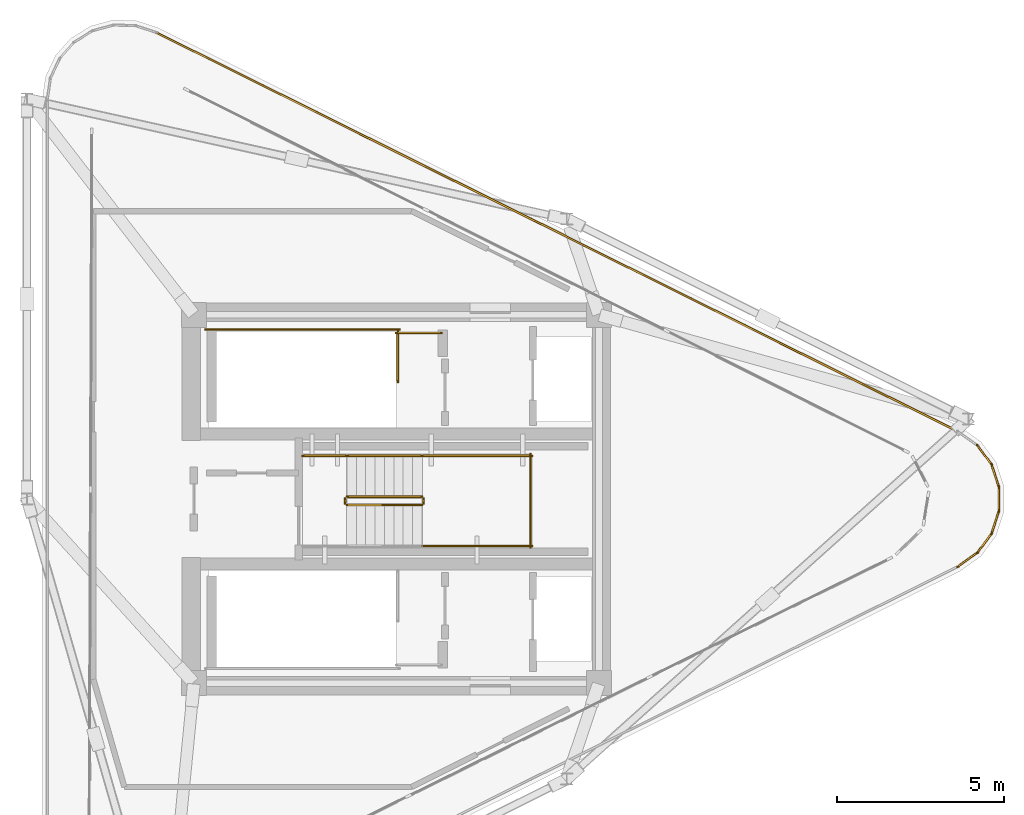
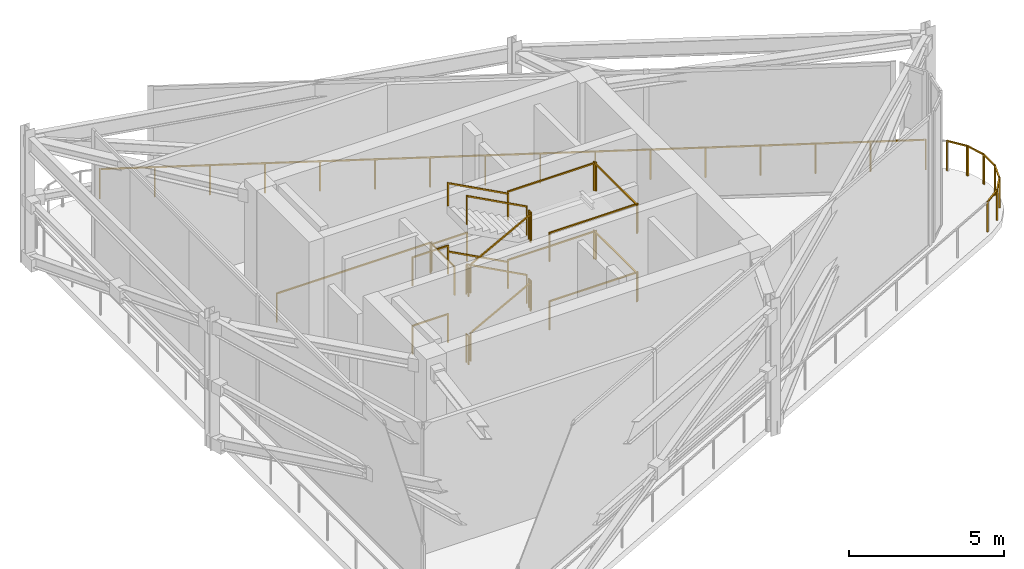
# One storey, part 6 of 7: 28 railings.
"""IFC4 building model written with IfcOpenShell, lengths in metres."""

from ifc_helpers import new_model, si_unit, direction, frame, origin, origin_2d, place, context, subcontext, project, spatial, rectangle, extrude, material, type_object, element, save


model = new_model("IFC4")

# Units and contexts
model_context = context("Model", 3, precision=1e-05, world=origin(), true_north=direction((0.0, 1.0)))
body_context = subcontext(model_context, "Body", "Model", "MODEL_VIEW")
ifc_project = project(units=[si_unit("LENGTHUNIT", "METRE"), si_unit("AREAUNIT", "SQUARE_METRE"), si_unit("VOLUMEUNIT", "CUBIC_METRE"), si_unit("PLANEANGLEUNIT", "RADIAN"), si_unit("MASSUNIT", "GRAM", prefix="KILO")], contexts=[model_context])

# Site, building, storey
site_placement = place(None, origin())
site = spatial("IfcSite", under=ifc_project, at=site_placement, CompositionType="ELEMENT")
building_placement = place(site_placement, origin())
building = spatial("IfcBuilding", under=site, at=building_placement, Name="Yunling Apex Tower", CompositionType="ELEMENT")
storey_placement = place(building_placement, frame((0.0, 0.0, 322.85009765625)))
storey = spatial("IfcBuildingStorey", under=building, at=storey_placement, Name="C02", CompositionType="ELEMENT", Elevation=322.85009765625)

# Railings
ifc_material_1 = material(Name="Bronze anodised aluminium", Category="aluminium")
railing_type_1 = type_object("IfcRailingType", Name="RL-BAL-1200", PredefinedType="BALUSTRADE", material=ifc_material_1)
railing_1_placement = place(storey_placement, frame((-7.182861328125, 13.940673828125, 0.0)))
element("IfcRailing", 1, at=railing_1_placement, inside=storey, type_object=railing_type_1, Name="RL-CRN-PERIM-C02-09", PredefinedType="BALUSTRADE", context=body_context, shape_type="SweptSolid", body=[
    extrude(rectangle(XDim=0.0439453125, YDim=0.0439453125, at=origin_2d()), origin(), (0.0, 0.0, 1.0), 1.199951171875),
    extrude(rectangle(XDim=0.0439453125, YDim=0.0439453125, at=origin_2d()), frame((23.965087890625, -11.927734375, 0.0)), (0.0, 0.0, 1.0), 1.199951171875),
    extrude(rectangle(XDim=0.050048828125, YDim=0.050048828125, at=origin_2d()), frame((0.034423828125, -0.01708984375, 1.1748046875), z_axis=(0.895244682133, -0.445574863645, 0.0), x_axis=(0.445574863645, 0.895244682133, 0.0)), (0.0, 0.0, 1.0), 26.692626953125),
    extrude(rectangle(XDim=0.0439453125, YDim=0.0439453125, at=origin_2d()), frame((1.59765625, -0.795166015625, 0.0)), (0.0, 0.0, 1.0), 1.14599609375),
    extrude(rectangle(XDim=0.0439453125, YDim=0.0439453125, at=origin_2d()), frame((3.1953125, -1.59033203125, 0.0)), (0.0, 0.0, 1.0), 1.14599609375),
    extrude(rectangle(XDim=0.0439453125, YDim=0.0439453125, at=origin_2d()), frame((4.79296875, -2.385498046875, 0.0)), (0.0, 0.0, 1.0), 1.14599609375),
    extrude(rectangle(XDim=0.0439453125, YDim=0.0439453125, at=origin_2d()), frame((6.390625, -3.1806640625, 0.0)), (0.0, 0.0, 1.0), 1.14599609375),
    extrude(rectangle(XDim=0.0439453125, YDim=0.0439453125, at=origin_2d()), frame((7.98828125, -3.975830078125, 0.0)), (0.0, 0.0, 1.0), 1.14599609375),
    extrude(rectangle(XDim=0.0439453125, YDim=0.0439453125, at=origin_2d()), frame((9.5859375, -4.77099609375, 0.0)), (0.0, 0.0, 1.0), 1.14599609375),
    extrude(rectangle(XDim=0.0439453125, YDim=0.0439453125, at=origin_2d()), frame((11.18359375, -5.566162109375, 0.0)), (0.0, 0.0, 1.0), 1.14599609375),
    extrude(rectangle(XDim=0.0439453125, YDim=0.0439453125, at=origin_2d()), frame((12.781494140625, -6.361572265625, 0.0)), (0.0, 0.0, 1.0), 1.14599609375),
    extrude(rectangle(XDim=0.0439453125, YDim=0.0439453125, at=origin_2d()), frame((14.379150390625, -7.15673828125, 0.0)), (0.0, 0.0, 1.0), 1.14599609375),
    extrude(rectangle(XDim=0.0439453125, YDim=0.0439453125, at=origin_2d()), frame((15.976806640625, -7.951904296875, 0.0)), (0.0, 0.0, 1.0), 1.14599609375),
    extrude(rectangle(XDim=0.0439453125, YDim=0.0439453125, at=origin_2d()), frame((17.574462890625, -8.7470703125, 0.0)), (0.0, 0.0, 1.0), 1.14599609375),
    extrude(rectangle(XDim=0.0439453125, YDim=0.0439453125, at=origin_2d()), frame((19.172119140625, -9.542236328125, 0.0)), (0.0, 0.0, 1.0), 1.14599609375),
    extrude(rectangle(XDim=0.0439453125, YDim=0.0439453125, at=origin_2d()), frame((20.769775390625, -10.33740234375, 0.0)), (0.0, 0.0, 1.0), 1.14599609375),
    extrude(rectangle(XDim=0.0439453125, YDim=0.0439453125, at=origin_2d()), frame((22.367431640625, -11.132568359375, 0.0)), (0.0, 0.0, 1.0), 1.14599609375),
])
railing_2_placement = place(storey_placement, frame((17.34716796875, 1.6123046875, 0.0)))
element("IfcRailing", 2, at=railing_2_placement, inside=storey, type_object=railing_type_1, Name="RL-CRN-PERIM-C02-11", PredefinedType="BALUSTRADE", context=body_context, shape_type="SweptSolid", body=[
    extrude(rectangle(XDim=0.0439453125, YDim=0.0439453125, at=origin_2d()), origin(), (0.0, 0.0, 1.0), 1.199951171875),
    extrude(rectangle(XDim=0.0439453125, YDim=0.0439453125, at=origin_2d()), frame((0.437744140625, -0.595703125, 0.0)), (0.0, 0.0, 1.0), 1.199951171875),
    extrude(rectangle(XDim=0.050048828125, YDim=0.050048828125, at=origin_2d()), frame((0.022705078125, -0.031005859375, 1.1748046875), z_axis=(0.592150844231, -0.805827138831, 0.0), x_axis=(0.805827138831, 0.592150844231, 0.0)), (0.0, 0.0, 1.0), 0.66259765625),
])
railing_3_placement = place(storey_placement, frame((17.771484375, 1.04296875, 0.0)))
element("IfcRailing", 3, at=railing_3_placement, inside=storey, type_object=railing_type_1, Name="RL-CRN-PERIM-C02-12", PredefinedType="BALUSTRADE", context=body_context, shape_type="SweptSolid", body=[
    extrude(rectangle(XDim=0.0439453125, YDim=0.0439453125, at=origin_2d()), origin(), (0.0, 0.0, 1.0), 1.199951171875),
    extrude(rectangle(XDim=0.0439453125, YDim=0.0439453125, at=origin_2d()), frame((0.230224609375, -0.70263671875, 0.0)), (0.0, 0.0, 1.0), 1.199951171875),
    extrude(rectangle(XDim=0.050048828125, YDim=0.050048828125, at=origin_2d()), frame((0.011962890625, -0.036376953125, 1.1748046875), z_axis=(0.311369823832, -0.95028881547, 0.0), x_axis=(0.95028881547, 0.311369823832, 0.0)), (0.0, 0.0, 1.0), 0.662841796875),
])
railing_4_placement = place(storey_placement, frame((17.9970703125, 0.36962890625, 0.0)))
element("IfcRailing", 4, at=railing_4_placement, inside=storey, type_object=railing_type_1, Name="RL-CRN-PERIM-C02-13", PredefinedType="BALUSTRADE", context=body_context, shape_type="SweptSolid", body=[
    extrude(rectangle(XDim=0.0439453125, YDim=0.0439453125, at=origin_2d()), origin(), (0.0, 0.0, 1.0), 1.199951171875),
    extrude(rectangle(XDim=0.0439453125, YDim=0.0439453125, at=origin_2d()), frame((0.0, -0.7392578125, 0.0)), (0.0, 0.0, 1.0), 1.199951171875),
    extrude(rectangle(XDim=0.050048828125, YDim=0.050048828125, at=origin_2d()), frame((0.0, -0.038330078125, 1.1748046875), z_axis=(0.0, -1.0, 0.0), x_axis=(1.0, 0.0, 0.0)), (0.0, 0.0, 1.0), 0.66259765625),
])
railing_5_placement = place(storey_placement, frame((18.001708984375, -0.34033203125, 0.0)))
element("IfcRailing", 5, at=railing_5_placement, inside=storey, type_object=railing_type_1, Name="RL-CRN-PERIM-C02-14", PredefinedType="BALUSTRADE", context=body_context, shape_type="SweptSolid", body=[
    extrude(rectangle(XDim=0.0439453125, YDim=0.0439453125, at=origin_2d()), origin(), (0.0, 0.0, 1.0), 1.199951171875),
    extrude(rectangle(XDim=0.0439453125, YDim=0.0439453125, at=origin_2d()), frame((-0.230224609375, -0.70263671875, 0.0)), (0.0, 0.0, 1.0), 1.199951171875),
    extrude(rectangle(XDim=0.050048828125, YDim=0.050048828125, at=origin_2d()), frame((-0.011962890625, -0.036376953125, 1.1748046875), z_axis=(-0.311369823832, -0.95028881547, 0.0), x_axis=(0.95028881547, -0.311369823832, 0.0)), (0.0, 0.0, 1.0), 0.662841796875),
])
railing_6_placement = place(storey_placement, frame((17.784912109375, -1.0166015625, 0.0)))
element("IfcRailing", 6, at=railing_6_placement, inside=storey, type_object=railing_type_1, Name="RL-CRN-PERIM-C02-15", PredefinedType="BALUSTRADE", context=body_context, shape_type="SweptSolid", body=[
    extrude(rectangle(XDim=0.0439453125, YDim=0.0439453125, at=origin_2d()), origin(), (0.0, 0.0, 1.0), 1.199951171875),
    extrude(rectangle(XDim=0.0439453125, YDim=0.0439453125, at=origin_2d()), frame((-0.437744140625, -0.595703125, 0.0)), (0.0, 0.0, 1.0), 1.199951171875),
    extrude(rectangle(XDim=0.050048828125, YDim=0.050048828125, at=origin_2d()), frame((-0.022705078125, -0.031005859375, 1.1748046875), z_axis=(-0.592150844231, -0.805827138831, 0.0), x_axis=(0.805827138831, -0.592150844231, 0.0)), (0.0, 0.0, 1.0), 0.66259765625),
])
railing_7_placement = place(storey_placement, frame((17.3681640625, -1.591552734375, 0.0)))
element("IfcRailing", 7, at=railing_7_placement, inside=storey, type_object=railing_type_1, Name="RL-CRN-PERIM-C02-16", PredefinedType="BALUSTRADE", context=body_context, shape_type="SweptSolid", body=[
    extrude(rectangle(XDim=0.0439453125, YDim=0.0439453125, at=origin_2d()), origin(), (0.0, 0.0, 1.0), 1.199951171875),
    extrude(rectangle(XDim=0.0439453125, YDim=0.0439453125, at=origin_2d()), frame((-0.611572265625, -0.436767578125, 0.0)), (0.0, 0.0, 1.0), 1.199951171875),
    extrude(rectangle(XDim=0.050048828125, YDim=0.050048828125, at=origin_2d()), frame((-0.03125, -0.022216796875, 1.1748046875), z_axis=(-0.813777369051, -0.581176731829, 0.0), x_axis=(0.581176731829, -0.813777369051, 0.0)), (0.0, 0.0, 1.0), 0.6748046875),
])
ifc_material_2 = material(Name="Steel Q355B", Category="steel")
railing_type_2 = type_object("IfcRailingType", Name="RL-GRD-1150", PredefinedType="GUARDRAIL", material=ifc_material_2)
railing_8_placement = place(storey_placement, frame((0.0400390625, 5.010009765625, 0.0)))
element("IfcRailing", 8, at=railing_8_placement, inside=storey, type_object=railing_type_2, Name="C02 ST-1 top well guard 1", PredefinedType="GUARDRAIL", context=body_context, shape_type="SweptSolid", body=[
    extrude(rectangle(XDim=0.0439453125, YDim=0.0439453125, at=origin_2d()), origin(), (0.0, 0.0, 1.0), 1.14990234375),
    extrude(rectangle(XDim=0.0439453125, YDim=0.0439453125, at=origin_2d()), frame((0.0, -1.510009765625, 0.0)), (0.0, 0.0, 1.0), 1.14990234375),
    extrude(rectangle(XDim=0.050048828125, YDim=0.050048828125, at=origin_2d()), frame((0.0, -0.038330078125, 1.125), z_axis=(0.0, -1.0, 0.0), x_axis=(1.0, 0.0, 0.0)), (0.0, 0.0, 1.0), 1.433349609375),
])
railing_9_placement = place(storey_placement, frame((0.090087890625, 5.06005859375, 0.0)))
element("IfcRailing", 9, at=railing_9_placement, inside=storey, type_object=railing_type_2, Name="C02 ST-1 top well guard 2", PredefinedType="GUARDRAIL", context=body_context, shape_type="SweptSolid", body=[
    extrude(rectangle(XDim=0.0439453125, YDim=0.0439453125, at=origin_2d()), origin(), (0.0, 0.0, 1.0), 1.14990234375),
    extrude(rectangle(XDim=0.0439453125, YDim=0.0439453125, at=origin_2d()), frame((-5.7900390625, 0.0, 0.0)), (0.0, 0.0, 1.0), 1.14990234375),
    extrude(rectangle(XDim=0.050048828125, YDim=0.050048828125, at=origin_2d()), frame((-0.038330078125, 0.0, 1.125), z_axis=(-1.0, 0.0, 0.0), x_axis=(0.0, -1.0, 0.0)), (0.0, 0.0, 1.0), 5.71337890625),
])
railing_10_placement = place(storey_placement, frame((1.35009765625, 4.9599609375, 0.0)))
element("IfcRailing", 10, at=railing_10_placement, inside=storey, type_object=railing_type_2, Name="C02 ST-1 top well guard 3", PredefinedType="GUARDRAIL", context=body_context, shape_type="SweptSolid", body=[
    extrude(rectangle(XDim=0.0439453125, YDim=0.0439453125, at=origin_2d()), origin(), (0.0, 0.0, 1.0), 1.14990234375),
    extrude(rectangle(XDim=0.0439453125, YDim=0.0439453125, at=origin_2d()), frame((-1.360107421875, 0.0, 0.0)), (0.0, 0.0, 1.0), 1.14990234375),
    extrude(rectangle(XDim=0.050048828125, YDim=0.050048828125, at=origin_2d()), frame((-0.038330078125, 0.0, 1.125), z_axis=(-1.0, 0.0, 0.0), x_axis=(0.0, -1.0, 0.0)), (0.0, 0.0, 1.0), 1.283447265625),
])
railing_11_placement = place(storey_placement, frame((-1.47998046875, -0.179931640625, 0.14990234375)))
element("IfcRailing", 11, at=railing_11_placement, inside=storey, type_object=railing_type_2, Name="C02 ST-C1 stair guard 1", PredefinedType="GUARDRAIL", context=body_context, shape_type="SweptSolid", body=[
    extrude(rectangle(XDim=0.0439453125, YDim=0.0439453125, at=origin_2d()), origin(), (0.0, 0.0, 1.0), 1.14990234375),
    extrude(rectangle(XDim=0.0439453125, YDim=0.0439453125, at=origin_2d()), frame((2.239990234375, 0.0, 1.199951171875)), (0.0, 0.0, 1.0), 1.14990234375),
    extrude(rectangle(XDim=0.050048828125, YDim=0.050048828125, at=origin_2d()), frame((0.03369140625, 0.0, 1.14306640625), z_axis=(0.881487111273, 0.0, 0.472208081951), x_axis=(0.0, 1.0, 0.0)), (0.0, 0.0, 1.0), 2.464599609375),
])
railing_12_placement = place(storey_placement, frame((0.81005859375, -0.1298828125, 1.349853515625)))
element("IfcRailing", 12, at=railing_12_placement, inside=storey, type_object=railing_type_2, Name="C02 ST-C1 stair guard 2", PredefinedType="GUARDRAIL", context=body_context, shape_type="SweptSolid", body=[
    extrude(rectangle(XDim=0.0439453125, YDim=0.0439453125, at=origin_2d()), origin(), (0.0, 0.0, 1.0), 1.14990234375),
    extrude(rectangle(XDim=0.0439453125, YDim=0.0439453125, at=origin_2d()), frame((0.0, 0.14990234375, 0.0)), (0.0, 0.0, 1.0), 1.14990234375),
    extrude(rectangle(XDim=0.050048828125, YDim=0.050048828125, at=origin_2d()), frame((0.0, 0.038330078125, 1.125), z_axis=(0.0, 1.0, 0.0), x_axis=(-1.0, 0.0, 0.0)), (0.0, 0.0, 1.0), 0.0732421875),
])
for number, where, name in (
    (13, (0.760009765625, -1.39990234375, 1.349853515625), "C02 ST-C1 stair guard 3"),
    (14, (0.760009765625, 1.2900390625, 1.349853515625), "C02 ST-C1 stair guard 4"),
):
    element("IfcRailing", number, at=place(storey_placement, frame(where)), inside=storey, type_object=railing_type_2, Name=name, PredefinedType="GUARDRAIL", context=body_context, shape_type="SweptSolid", body=[
        extrude(rectangle(XDim=0.0439453125, YDim=0.0439453125, at=origin_2d()), origin(), (0.0, 0.0, 1.0), 1.14990234375),
        extrude(rectangle(XDim=0.0439453125, YDim=0.0439453125, at=origin_2d()), frame((3.2900390625, 0.0, 0.0)), (0.0, 0.0, 1.0), 1.14990234375),
        extrude(rectangle(XDim=0.050048828125, YDim=0.050048828125, at=origin_2d()), frame((0.038330078125, 0.0, 1.125), z_axis=(1.0, 0.0, 0.0), x_axis=(0.0, 1.0, 0.0)), (0.0, 0.0, 1.0), 3.21337890625),
    ])
railing_13_placement = place(storey_placement, frame((4.0, -1.449951171875, 1.349853515625)))
element("IfcRailing", 15, at=railing_13_placement, inside=storey, type_object=railing_type_2, Name="C02 ST-C1 stair guard 5", PredefinedType="GUARDRAIL", context=body_context, shape_type="SweptSolid", body=[
    extrude(rectangle(XDim=0.0439453125, YDim=0.0439453125, at=origin_2d()), origin(), (0.0, 0.0, 1.0), 1.14990234375),
    extrude(rectangle(XDim=0.0439453125, YDim=0.0439453125, at=origin_2d()), frame((0.0, 2.7900390625, 0.0)), (0.0, 0.0, 1.0), 1.14990234375),
    extrude(rectangle(XDim=0.050048828125, YDim=0.050048828125, at=origin_2d()), frame((0.0, 0.038330078125, 1.125), z_axis=(0.0, 1.0, 0.0), x_axis=(-1.0, 0.0, 0.0)), (0.0, 0.0, 1.0), 2.71337890625),
])
railing_14_placement = place(storey_placement, frame((0.760009765625, 0.070068359375, 1.5)))
element("IfcRailing", 16, at=railing_14_placement, inside=storey, type_object=railing_type_2, Name="C02 ST-C1 stair guard 6", PredefinedType="GUARDRAIL", context=body_context, shape_type="SweptSolid", body=[
    extrude(rectangle(XDim=0.0439453125, YDim=0.0439453125, at=origin_2d()), origin(), (0.0, 0.0, 1.0), 1.14990234375),
    extrude(rectangle(XDim=0.0439453125, YDim=0.0439453125, at=origin_2d()), frame((-2.239990234375, 0.0, 1.199951171875)), (0.0, 0.0, 1.0), 1.14990234375),
    extrude(rectangle(XDim=0.050048828125, YDim=0.050048828125, at=origin_2d()), frame((-0.03369140625, 0.0, 1.14306640625), z_axis=(-0.881487111273, 0.0, 0.472208081951), x_axis=(0.0, -1.0, 0.0)), (0.0, 0.0, 1.0), 2.464599609375),
])
railing_15_placement = place(storey_placement, frame((-1.530029296875, -0.1298828125, 2.699951171875)))
element("IfcRailing", 17, at=railing_15_placement, inside=storey, type_object=railing_type_2, Name="C02 ST-C1 stair guard 7", PredefinedType="GUARDRAIL", context=body_context, shape_type="SweptSolid", body=[
    extrude(rectangle(XDim=0.0439453125, YDim=0.0439453125, at=origin_2d()), origin(), (0.0, 0.0, 1.0), 1.14990234375),
    extrude(rectangle(XDim=0.0439453125, YDim=0.0439453125, at=origin_2d()), frame((0.0, 0.14990234375, 0.0)), (0.0, 0.0, 1.0), 1.14990234375),
    extrude(rectangle(XDim=0.050048828125, YDim=0.050048828125, at=origin_2d()), frame((0.0, 0.038330078125, 1.125), z_axis=(0.0, 1.0, 0.0), x_axis=(-1.0, 0.0, 0.0)), (0.0, 0.0, 1.0), 0.0732421875),
])
railing_16_placement = place(storey_placement, frame((-2.800048828125, 1.2900390625, 2.699951171875)))
element("IfcRailing", 18, at=railing_16_placement, inside=storey, type_object=railing_type_2, Name="C02 ST-C1 stair guard 9", PredefinedType="GUARDRAIL", context=body_context, shape_type="SweptSolid", body=[
    extrude(rectangle(XDim=0.0439453125, YDim=0.0439453125, at=origin_2d()), origin(), (0.0, 0.0, 1.0), 1.14990234375),
    extrude(rectangle(XDim=0.0439453125, YDim=0.0439453125, at=origin_2d()), frame((1.320068359375, 0.0, 0.0)), (0.0, 0.0, 1.0), 1.14990234375),
    extrude(rectangle(XDim=0.050048828125, YDim=0.050048828125, at=origin_2d()), frame((0.038330078125, 0.0, 1.125), z_axis=(1.0, 0.0, 0.0), x_axis=(0.0, 1.0, 0.0)), (0.0, 0.0, 1.0), 1.243408203125),
])
railing_17_placement = place(storey_placement, frame((-1.47998046875, -0.179931640625, 2.849853515625)))
element("IfcRailing", 19, at=railing_17_placement, inside=storey, type_object=railing_type_2, Name="C02 ST-C1 stair guard 10", PredefinedType="GUARDRAIL", context=body_context, shape_type="SweptSolid", body=[
    extrude(rectangle(XDim=0.0439453125, YDim=0.0439453125, at=origin_2d()), origin(), (0.0, 0.0, 1.0), 1.14990234375),
    extrude(rectangle(XDim=0.0439453125, YDim=0.0439453125, at=origin_2d()), frame((2.239990234375, 0.0, 1.199951171875)), (0.0, 0.0, 1.0), 1.14990234375),
    extrude(rectangle(XDim=0.050048828125, YDim=0.050048828125, at=origin_2d()), frame((0.03369140625, 0.0, 1.14306640625), z_axis=(0.881487111273, 0.0, 0.472208081951), x_axis=(0.0, 1.0, 0.0)), (0.0, 0.0, 1.0), 2.464599609375),
])
railing_18_placement = place(storey_placement, frame((0.81005859375, -0.1298828125, 4.0498046875)))
element("IfcRailing", 20, at=railing_18_placement, inside=storey, type_object=railing_type_2, Name="C02 ST-C1 stair guard 11", PredefinedType="GUARDRAIL", context=body_context, shape_type="SweptSolid", body=[
    extrude(rectangle(XDim=0.0439453125, YDim=0.0439453125, at=origin_2d()), origin(), (0.0, 0.0, 1.0), 1.14990234375),
    extrude(rectangle(XDim=0.0439453125, YDim=0.0439453125, at=origin_2d()), frame((0.0, 0.14990234375, 0.0)), (0.0, 0.0, 1.0), 1.14990234375),
    extrude(rectangle(XDim=0.050048828125, YDim=0.050048828125, at=origin_2d()), frame((0.0, 0.038330078125, 1.125), z_axis=(0.0, 1.0, 0.0), x_axis=(-1.0, 0.0, 0.0)), (0.0, 0.0, 1.0), 0.0732421875),
])
for number, where, name in (
    (21, (0.760009765625, -1.39990234375, 4.0498046875), "C02 ST-C1 stair guard 12"),
    (22, (0.760009765625, 1.2900390625, 4.0498046875), "C02 ST-C1 stair guard 13"),
):
    element("IfcRailing", number, at=place(storey_placement, frame(where)), inside=storey, type_object=railing_type_2, Name=name, PredefinedType="GUARDRAIL", context=body_context, shape_type="SweptSolid", body=[
        extrude(rectangle(XDim=0.0439453125, YDim=0.0439453125, at=origin_2d()), origin(), (0.0, 0.0, 1.0), 1.14990234375),
        extrude(rectangle(XDim=0.0439453125, YDim=0.0439453125, at=origin_2d()), frame((3.2900390625, 0.0, 0.0)), (0.0, 0.0, 1.0), 1.14990234375),
        extrude(rectangle(XDim=0.050048828125, YDim=0.050048828125, at=origin_2d()), frame((0.038330078125, 0.0, 1.125), z_axis=(1.0, 0.0, 0.0), x_axis=(0.0, 1.0, 0.0)), (0.0, 0.0, 1.0), 3.21337890625),
    ])
railing_19_placement = place(storey_placement, frame((4.0, -1.449951171875, 4.0498046875)))
element("IfcRailing", 23, at=railing_19_placement, inside=storey, type_object=railing_type_2, Name="C02 ST-C1 stair guard 14", PredefinedType="GUARDRAIL", context=body_context, shape_type="SweptSolid", body=[
    extrude(rectangle(XDim=0.0439453125, YDim=0.0439453125, at=origin_2d()), origin(), (0.0, 0.0, 1.0), 1.14990234375),
    extrude(rectangle(XDim=0.0439453125, YDim=0.0439453125, at=origin_2d()), frame((0.0, 2.7900390625, 0.0)), (0.0, 0.0, 1.0), 1.14990234375),
    extrude(rectangle(XDim=0.050048828125, YDim=0.050048828125, at=origin_2d()), frame((0.0, 0.038330078125, 1.125), z_axis=(0.0, 1.0, 0.0), x_axis=(-1.0, 0.0, 0.0)), (0.0, 0.0, 1.0), 2.71337890625),
])
railing_20_placement = place(storey_placement, frame((0.760009765625, 0.070068359375, 4.199951171875)))
element("IfcRailing", 24, at=railing_20_placement, inside=storey, type_object=railing_type_2, Name="C02 ST-C1 stair guard 15", PredefinedType="GUARDRAIL", context=body_context, shape_type="SweptSolid", body=[
    extrude(rectangle(XDim=0.0439453125, YDim=0.0439453125, at=origin_2d()), origin(), (0.0, 0.0, 1.0), 1.14990234375),
    extrude(rectangle(XDim=0.0439453125, YDim=0.0439453125, at=origin_2d()), frame((-2.239990234375, 0.0, 1.199951171875)), (0.0, 0.0, 1.0), 1.14990234375),
    extrude(rectangle(XDim=0.050048828125, YDim=0.050048828125, at=origin_2d()), frame((-0.03369140625, 0.0, 1.14306640625), z_axis=(-0.881487111273, 0.0, 0.472208081951), x_axis=(0.0, -1.0, 0.0)), (0.0, 0.0, 1.0), 2.464599609375),
])
railing_21_placement = place(storey_placement, frame((-1.530029296875, -0.1298828125, 0.0)))
element("IfcRailing", 25, at=railing_21_placement, inside=storey, type_object=railing_type_2, Name="C02 ST-C1 stair guard 16", PredefinedType="GUARDRAIL", context=body_context, shape_type="SweptSolid", body=[
    extrude(rectangle(XDim=0.0439453125, YDim=0.0439453125, at=origin_2d()), origin(), (0.0, 0.0, 1.0), 1.14990234375),
    extrude(rectangle(XDim=0.0439453125, YDim=0.0439453125, at=origin_2d()), frame((0.0, 0.14990234375, 0.0)), (0.0, 0.0, 1.0), 1.14990234375),
    extrude(rectangle(XDim=0.050048828125, YDim=0.050048828125, at=origin_2d()), frame((0.0, 0.038330078125, 1.125), z_axis=(0.0, 1.0, 0.0), x_axis=(-1.0, 0.0, 0.0)), (0.0, 0.0, 1.0), 0.0732421875),
])
railing_22_placement = place(storey_placement, frame((-2.800048828125, 1.2900390625, 0.0)))
element("IfcRailing", 26, at=railing_22_placement, inside=storey, type_object=railing_type_2, Name="C02 ST-C1 stair guard 18", PredefinedType="GUARDRAIL", context=body_context, shape_type="SweptSolid", body=[
    extrude(rectangle(XDim=0.0439453125, YDim=0.0439453125, at=origin_2d()), origin(), (0.0, 0.0, 1.0), 1.14990234375),
    extrude(rectangle(XDim=0.0439453125, YDim=0.0439453125, at=origin_2d()), frame((1.320068359375, 0.0, 0.0)), (0.0, 0.0, 1.0), 1.14990234375),
    extrude(rectangle(XDim=0.050048828125, YDim=0.050048828125, at=origin_2d()), frame((0.038330078125, 0.0, 1.125), z_axis=(1.0, 0.0, 0.0), x_axis=(0.0, 1.0, 0.0)), (0.0, 0.0, 1.0), 1.243408203125),
])
ifc_material_3 = material(Name="Silver anodised aluminium", Category="aluminium")
railing_type_3 = type_object("IfcRailingType", Name="RL-HND-900", PredefinedType="HANDRAIL", material=ifc_material_3)
for number, where, name in (
    (27, (0.760009765625, 1.2900390625, 1.5), "C02 ST-C1 stair handrail 2"),
    (28, (0.760009765625, 1.2900390625, 4.199951171875), "C02 ST-C1 stair handrail 4"),
):
    element("IfcRailing", number, at=place(storey_placement, frame(where)), inside=storey, type_object=railing_type_3, Name=name, PredefinedType="HANDRAIL", context=body_context, shape_type="SweptSolid", body=[
        extrude(rectangle(XDim=0.0439453125, YDim=0.0439453125, at=origin_2d()), origin(), (0.0, 0.0, 1.0), 0.919921875),
        extrude(rectangle(XDim=0.0439453125, YDim=0.0439453125, at=origin_2d()), frame((-2.239990234375, 0.0, 1.199951171875)), (0.0, 0.0, 1.0), 0.919921875),
        extrude(rectangle(XDim=0.050048828125, YDim=0.050048828125, at=origin_2d()), frame((-0.03369140625, 0.0, 0.9130859375), z_axis=(-0.881487111273, 0.0, 0.472208081951), x_axis=(0.0, -1.0, 0.0)), (0.0, 0.0, 1.0), 2.464599609375),
    ])

save(model, "model.ifc")
